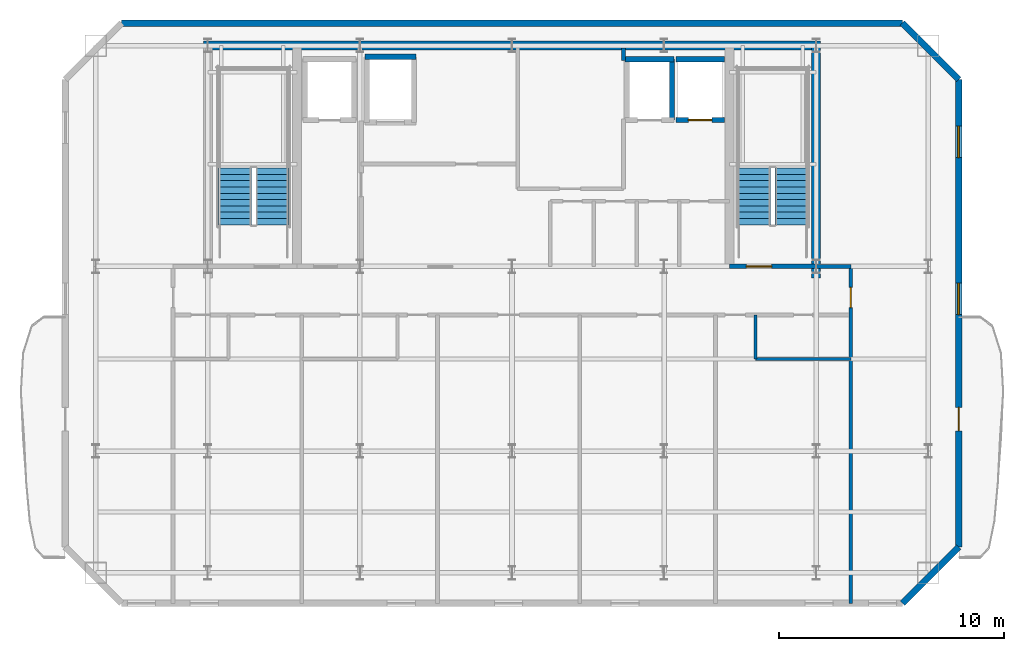
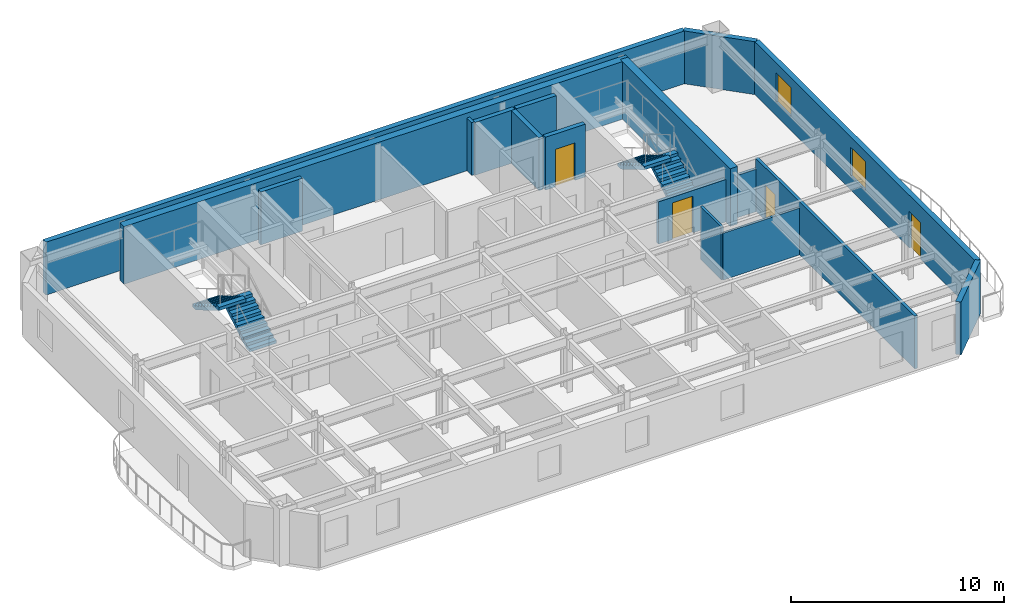
# One storey, part 4 of 6: 17 walls, 4 doors, 4 stair flights, 2 windows, 6 openings, 2 elements without a shape of their own.
"""IFC4 building model written with IfcOpenShell, lengths in metres."""

import ifcopenshell
import ifcopenshell.guid

model = None  # the IFC model being written
_history = None  # IfcOwnerHistory: only IFC2X3 demands one
_inside = {}  # id of a spatial element -> (the spatial element, [elements in it])
_under = {}  # id of a project, library or spatial element -> (it, [spatial elements below it])
_declared = {}  # id of a project -> (the project, [libraries it declares])
_typed = {}  # id of a type object -> (the type object, [elements of that type])
_made_of = {}  # id of a material, layer set ... -> (it, [elements and type objects made of it])


def new_model(schema):
    """Start an empty IFC model of exactly this schema.

    Asked for "IFC4X3", IfcOpenShell would pick the latest addendum, in which some entities
    have other attributes; the version numbers below select the first issue.
    IFC2X3 requires an IfcOwnerHistory on every rooted entity: one is made here for all.
    """
    global model, _history
    if schema == "IFC4X3":
        model = ifcopenshell.file(schema_version=(4, 3, 0, 0))
    else:
        model = ifcopenshell.file(schema=schema)
    _inside.clear()
    _under.clear()
    _declared.clear()
    _typed.clear()
    _made_of.clear()
    _history = None
    if model.schema == "IFC2X3":
        org = make("IfcOrganization", Name="unknown")
        user = make(
            "IfcPersonAndOrganization",
            ThePerson=make("IfcPerson", FamilyName="unknown"),
            TheOrganization=org,
        )
        app = make(
            "IfcApplication",
            ApplicationDeveloper=org,
            Version="unknown",
            ApplicationFullName="unknown",
            ApplicationIdentifier="unknown",
        )
        _history = make(
            "IfcOwnerHistory",
            OwningUser=user,
            OwningApplication=app,
            ChangeAction="ADDED",
            CreationDate=0,
        )
    return model


def make(cls, **values):
    """One entity of the class cls with the attributes given. An attribute that is None is left unset."""
    return model.create_entity(
        cls, **{name: value for name, value in values.items() if value is not None}
    )


def rooted(cls, **values):
    """An entity with a GlobalId (a new one), such as an element, a storey or a relation."""
    return make(cls, GlobalId=ifcopenshell.guid.new(), OwnerHistory=_history, **values)


def si_unit(unit_type, name, prefix=None):
    """IfcSIUnit, for example si_unit("LENGTHUNIT", "METRE", prefix="MILLI")."""
    return make("IfcSIUnit", UnitType=unit_type, Prefix=prefix, Name=name)


def assignment(units):
    """IfcUnitAssignment: the units of a project."""
    return None if units is None else make("IfcUnitAssignment", Units=units)


def point(xyz):
    """IfcCartesianPoint."""
    return None if xyz is None else make("IfcCartesianPoint", Coordinates=xyz)


def direction(xyz):
    """IfcDirection."""
    return None if xyz is None else make("IfcDirection", DirectionRatios=xyz)


def frame(location, z_axis=None, x_axis=None):
    """IfcAxis2Placement3D, a coordinate frame: its origin and axes. An axis left out is left unset."""
    return make(
        "IfcAxis2Placement3D",
        Location=point(location),
        Axis=direction(z_axis),
        RefDirection=direction(x_axis),
    )


def frame_2d(location, x_axis=None):
    """IfcAxis2Placement2D, a coordinate frame in the plane: its origin and x axis."""
    return make(
        "IfcAxis2Placement2D", Location=point(location), RefDirection=direction(x_axis)
    )


def origin():
    """The frame at (0, 0, 0) with its axes left unset."""
    return frame((0.0, 0.0, 0.0))


def place(relative_to, where):
    """IfcLocalPlacement: puts the frame where relative to a parent placement (None: the world)."""
    return make(
        "IfcLocalPlacement", PlacementRelTo=relative_to, RelativePlacement=where
    )


def context(
    kind, dimensions, precision=None, world=None, true_north=None, identifier=None
):
    """IfcGeometricRepresentationContext, for example the 3D "Model" context."""
    return make(
        "IfcGeometricRepresentationContext",
        ContextIdentifier=identifier,
        ContextType=kind,
        CoordinateSpaceDimension=dimensions,
        Precision=precision,
        WorldCoordinateSystem=world,
        TrueNorth=true_north,
    )


def subcontext(parent, identifier, kind, view, scale=None):
    """IfcGeometricRepresentationSubContext, for example "Body" below "Model"."""
    return make(
        "IfcGeometricRepresentationSubContext",
        ContextIdentifier=identifier,
        ContextType=kind,
        ParentContext=parent,
        TargetScale=scale,
        TargetView=view,
    )


def project(units=None, contexts=None):
    """IfcProject with its units and contexts."""
    return rooted(
        "IfcProject",
        Name="project",
        RepresentationContexts=contexts,
        UnitsInContext=assignment(units),
    )


def spatial(cls, under=None, at=None, **own):
    """A site, building, storey or space (cls), placed at a placement, below another one or the project."""
    s = rooted(cls, ObjectPlacement=at, **own)
    if under is not None:
        _under.setdefault(under.id(), (under, []))[1].append(s)
    return s


def polyline(points):
    """IfcPolyline through the points."""
    return make("IfcPolyline", Points=[point(p) for p in points])


def profile(cls, at=None, kind="AREA", **sizes):
    """A parametric profile (cls). Its sizes go by their IFC names, for example OverallWidth=200.0."""
    return make(cls, ProfileType=kind, Position=at, **sizes)


def rectangle(**sizes):
    """IfcRectangleProfileDef."""
    return profile("IfcRectangleProfileDef", **sizes)


def outline(outer, holes=None, kind="AREA"):
    """IfcArbitraryClosedProfileDef: a profile drawn as a closed curve; with holes, ...WithVoids."""
    if holes is None:
        return make("IfcArbitraryClosedProfileDef", ProfileType=kind, OuterCurve=outer)
    return make(
        "IfcArbitraryProfileDefWithVoids",
        ProfileType=kind,
        OuterCurve=outer,
        InnerCurves=holes,
    )


def extrude(swept, where, along, depth):
    """IfcExtrudedAreaSolid: the profile swept, set in the frame where, extruded along a direction by depth."""
    return make(
        "IfcExtrudedAreaSolid",
        SweptArea=swept,
        Position=where,
        ExtrudedDirection=direction(along),
        Depth=depth,
    )


def shape(context_of_items, identifier, shape_type, items):
    """IfcShapeRepresentation: the items that make up one representation, for example the "Body"."""
    return make(
        "IfcShapeRepresentation",
        ContextOfItems=context_of_items,
        RepresentationIdentifier=identifier,
        RepresentationType=shape_type,
        Items=items,
    )


def material(Name=None, Category=None):
    """IfcMaterial."""
    return make("IfcMaterial", Name=Name, Category=Category)


def layer(
    of_material, thickness, ventilated=None, Name=None, Category=None, Priority=None
):
    """IfcMaterialLayer: one layer of a wall or slab, of a material (None: an air gap)."""
    return make(
        "IfcMaterialLayer",
        Material=of_material,
        LayerThickness=thickness,
        IsVentilated=ventilated,
        Name=Name,
        Category=Category,
        Priority=Priority,
    )


def layer_set(layers, Name=None):
    """IfcMaterialLayerSet."""
    return make("IfcMaterialLayerSet", MaterialLayers=layers, LayerSetName=Name)


def made_of(thing, what):
    """Note that an element or type object is made of a material, layer set ...; save() writes the relation."""
    if what is not None:
        _made_of.setdefault(what.id(), (what, []))[1].append(thing)
    return thing


def type_object(cls, material=None, **own):
    """A type object (cls), such as IfcWallType, which elements share."""
    return made_of(rooted(cls, **own), material)


def element(
    cls,
    number,
    at=None,
    inside=None,
    cuts=None,
    type_object=None,
    material=None,
    context=None,
    identifier="Body",
    shape_type=None,
    held_by="IfcProductDefinitionShape",
    body=None,
    shapes=None,
    **own,
):
    """One element of the class cls, such as IfcWall. Its Tag is "e" and its number.

    at: its placement. inside: the storey or other place that contains it. cuts: it is an
    opening in that element (IfcRelVoidsElement). A single representation is given by context,
    identifier, shape_type and body (its items); several are given by shapes. held_by: the class
    of the entity that holds the representations. save() writes the other relations.
    """
    e = rooted(cls, Tag="e%d" % number, ObjectPlacement=at, **own)
    if body is not None:
        shapes = [shape(context, identifier, shape_type, body)]
    if shapes is not None:
        e.Representation = make(held_by, Representations=shapes)
    if inside is not None:
        _inside.setdefault(inside.id(), (inside, []))[1].append(e)
    if cuts is not None:
        rooted(
            "IfcRelVoidsElement", RelatingBuildingElement=cuts, RelatedOpeningElement=e
        )
    if type_object is not None:
        _typed.setdefault(type_object.id(), (type_object, []))[1].append(e)
    return made_of(e, material)


def fill(opening, filler):
    """IfcRelFillsElement: the door or window that sits in an opening."""
    return rooted(
        "IfcRelFillsElement",
        RelatingOpeningElement=opening,
        RelatedBuildingElement=filler,
    )


def aggregate(whole, parts):
    """IfcRelAggregates: a whole, such as a stair, and the parts it consists of."""
    return rooted("IfcRelAggregates", RelatingObject=whole, RelatedObjects=parts)


def save(model, path):
    """Write the relations noted so far, then the file.

    IfcRelAggregates (storeys below a building ...), IfcRelContainedInSpatialStructure (elements
    in a storey), IfcRelDefinesByType, IfcRelAssociatesMaterial and IfcRelDeclares: one each for
    every whole, place, type object, material and project.
    """
    for whole, parts in _under.values():
        aggregate(whole, parts)
    for where, things in _inside.values():
        rooted(
            "IfcRelContainedInSpatialStructure",
            RelatedElements=things,
            RelatingStructure=where,
        )
    for kind, things in _typed.values():
        rooted("IfcRelDefinesByType", RelatedObjects=things, RelatingType=kind)
    for what, things in _made_of.values():
        rooted("IfcRelAssociatesMaterial", RelatedObjects=things, RelatingMaterial=what)
    for by, libraries in _declared.values():
        rooted("IfcRelDeclares", RelatingContext=by, RelatedDefinitions=libraries)
    model.write(path)


model = new_model("IFC4")

# Units and contexts
model_context = context("Model", 3, precision=1e-05, world=origin(), true_north=direction((0.0, 1.0)))
body_context = subcontext(model_context, "Body", "Model", "MODEL_VIEW")
ifc_project = project(units=[si_unit("LENGTHUNIT", "METRE"), si_unit("AREAUNIT", "SQUARE_METRE"), si_unit("VOLUMEUNIT", "CUBIC_METRE"), si_unit("PLANEANGLEUNIT", "RADIAN"), si_unit("MASSUNIT", "GRAM", prefix="KILO")], contexts=[model_context])

# Site, building, storey
site_placement = place(None, origin())
site = spatial("IfcSite", under=ifc_project, at=site_placement, CompositionType="ELEMENT")
building_placement = place(site_placement, origin())
building = spatial("IfcBuilding", under=site, at=building_placement, Name="Haevon Station Towers", CompositionType="ELEMENT")
storey_placement = place(building_placement, frame((0.0, 0.0, 242.699951171875)))
storey = spatial("IfcBuildingStorey", under=building, at=storey_placement, Name="L67", CompositionType="ELEMENT", Elevation=242.699951171875)

# Wall, opening, door
ifc_material_1 = material(Name="Gypsum board on steel stud", Category="steel")
ifc_layer_1 = layer(ifc_material_1, 0.199951171875)
ifc_layer_set_1 = layer_set([ifc_layer_1], Name="Gypsum board on steel stud")
wall_type_1 = type_object("IfcWallType", Name="WL-COR200", PredefinedType="PARTITIONING", material=ifc_layer_set_1)
wall_1_placement = place(storey_placement, frame((47.14990234375, 38.199951171875, 0.0), z_axis=(0.0, 0.0, 1.0), x_axis=(1.0, 0.0, 0.0)))
wall_1 = element("IfcWall", 1, at=wall_1_placement, inside=storey, type_object=wall_type_1, Name="WL-ST-ST2-L67", PredefinedType="PARTITIONING", context=body_context, shape_type="SweptSolid", body=[
    extrude(rectangle(XDim=3.85009765625, YDim=0.199951171875, at=frame_2d((1.925048828125, 0.0))), origin(), (0.0, 0.0, 1.0), 2.429931640625),
])
opening_1_placement = place(wall_1_placement, frame((0.75, 0.0, 0.0)))
opening_1 = element("IfcOpeningElement", 2, at=opening_1_placement, cuts=wall_1, Name="Opening DR-ST-ST2-L67", PredefinedType="OPENING", context=body_context, shape_type="SweptSolid", body=[
    extrude(rectangle(XDim=1.1201171875, YDim=2.10009765625, at=frame_2d((0.56005859375, 1.050048828125))), frame((0.0, 0.10986328125, 0.0), z_axis=(0.0, -1.0, 0.0), x_axis=(1.0, 0.0, 0.0)), (0.0, 0.0, 1.0), 0.219970703125),
])
ifc_material_2 = material(Name="Engineered oak timber", Category="wood")
door_type_1 = type_object("IfcDoorType", Name="DR-ST-1120", OperationType="NOTDEFINED", PredefinedType="DOOR", material=ifc_material_2)
door_1_placement = place(opening_1_placement, origin())
door_1 = element("IfcDoor", 3, at=door_1_placement, inside=storey, type_object=door_type_1, Name="L67 Escape Stair ST2 Fire Door", OperationType="SINGLE_SWING_LEFT", OverallHeight=2.10009765625, OverallWidth=1.1201171875, PredefinedType="DOOR", context=body_context, shape_type="SweptSolid", body=[
    extrude(rectangle(XDim=1.1201171875, YDim=2.10009765625, at=frame_2d((0.56005859375, 1.050048828125))), frame((0.0, 0.02490234375, 0.0), z_axis=(0.0, -1.0, 0.0), x_axis=(1.0, 0.0, 0.0)), (0.0, 0.0, 1.0), 0.050048828125),
])
fill(opening_1, door_1)

# Walls
ifc_material_3 = material(Name="Concrete C60/75", Category="concrete")
ifc_layer_2 = layer(ifc_material_3, 0.39990234375)
ifc_layer_set_2 = layer_set([ifc_layer_2], Name="Concrete C60/75")
wall_type_2 = type_object("IfcWallType", Name="WL-CR400", PredefinedType="SHEAR", material=ifc_layer_set_2)
wall_2_placement = place(storey_placement, frame((23.800048828125, 48.0, 0.0), z_axis=(0.0, 0.0, 1.0), x_axis=(1.0, 0.0, 0.0)))
element("IfcWall", 4, at=wall_2_placement, inside=storey, type_object=wall_type_2, Name="WL-T1CR-L67-N", PredefinedType="SHEAR", context=body_context, shape_type="SweptSolid", body=[
    extrude(rectangle(XDim=27.39990234375, YDim=0.39990234375, at=frame_2d((13.699951171875, 0.0))), origin(), (0.0, 0.0, 1.0), 3.300048828125),
])
wall_3_placement = place(storey_placement, frame((51.0, 37.679931640625, 0.0), z_axis=(0.0, 0.0, 1.0), x_axis=(0.0, 1.0, 0.0)))
element("IfcWall", 5, at=wall_3_placement, inside=storey, type_object=wall_type_2, Name="WL-T1CR-L67-E", PredefinedType="SHEAR", context=body_context, shape_type="SweptSolid", body=[
    extrude(rectangle(XDim=10.320068359375, YDim=0.39990234375, at=frame_2d((5.16015625, 0.0))), origin(), (0.0, 0.0, 1.0), 3.300048828125),
])
ifc_material_4 = material(Name="Precast concrete C45/55", Category="concrete")
ifc_layer_3 = layer(ifc_material_4, 0.280029296875)
ifc_layer_set_3 = layer_set([ifc_layer_3], Name="Precast concrete C45/55")
wall_type_3 = type_object("IfcWallType", Name="WL-EXT-PIER280", PredefinedType="SOLIDWALL", material=ifc_layer_set_3)
wall_4_placement = place(storey_placement, frame((20.175048828125, 49.0, 0.0), z_axis=(0.0, 0.0, 1.0), x_axis=(1.0, 0.0, 0.0)))
element("IfcWall", 6, at=wall_4_placement, inside=storey, type_object=wall_type_3, Name="WL-T1-L67-N", PredefinedType="SOLIDWALL", context=body_context, shape_type="SweptSolid", body=[
    extrude(rectangle(XDim=34.64990234375, YDim=0.280029296875, at=frame_2d((17.324951171875, 0.0))), origin(), (0.0, 0.0, 1.0), 3.030029296875),
])
wall_5_placement = place(storey_placement, frame((54.824951171875, 49.0, 0.0), z_axis=(0.0, 0.0, 1.0), x_axis=(0.707106781187, -0.707106781187, 0.0)))
element("IfcWall", 7, at=wall_5_placement, inside=storey, type_object=wall_type_3, Name="WL-T1-L67-NEC", PredefinedType="SOLIDWALL", context=body_context, shape_type="SweptSolid", body=[
    extrude(rectangle(XDim=3.53564453125, YDim=0.280029296875, at=frame_2d((1.767822265625, 0.0))), origin(), (0.0, 0.0, 1.0), 3.030029296875),
])

# Wall, openings, door, windows
wall_6_placement = place(storey_placement, frame((57.324951171875, 46.5, 0.0), z_axis=(0.0, 0.0, 1.0), x_axis=(0.0, -1.0, 0.0)))
wall_6 = element("IfcWall", 8, at=wall_6_placement, inside=storey, type_object=wall_type_3, Name="WL-T1-L67-E", PredefinedType="SOLIDWALL", context=body_context, shape_type="SweptSolid", body=[
    extrude(rectangle(XDim=20.75, YDim=0.280029296875, at=frame_2d((10.375, 0.0))), origin(), (0.0, 0.0, 1.0), 3.030029296875),
])
opening_2_placement = place(wall_6_placement, frame((14.550048828125, 0.0, 0.0)))
opening_2 = element("IfcOpeningElement", 9, at=opening_2_placement, cuts=wall_6, Name="Opening DR-T1-SCAL-L67-E", PredefinedType="OPENING", context=body_context, shape_type="SweptSolid", body=[
    extrude(rectangle(XDim=1.050048828125, YDim=2.10009765625, at=frame_2d((0.52490234375, 1.050048828125))), frame((0.0, 0.14990234375, 0.0), z_axis=(0.0, -1.0, 0.0), x_axis=(1.0, 0.0, 0.0)), (0.0, 0.0, 1.0), 0.300048828125),
])
opening_3_placement = place(wall_6_placement, frame((2.06787109375, 0.0, 0.800048828125)))
opening_3 = element("IfcOpeningElement", 10, at=opening_3_placement, cuts=wall_6, Name="Opening WN-END140", PredefinedType="OPENING", context=body_context, shape_type="SweptSolid", body=[
    extrude(rectangle(XDim=1.39990234375, YDim=1.64990234375, at=frame_2d((0.699951171875, 0.824951171875))), frame((0.0, 0.14990234375, 0.0), z_axis=(0.0, -1.0, 0.0), x_axis=(1.0, 0.0, 0.0)), (0.0, 0.0, 1.0), 0.300048828125),
])
opening_4_placement = place(wall_6_placement, frame((9.041015625, 0.0, 0.800048828125)))
opening_4 = element("IfcOpeningElement", 11, at=opening_4_placement, cuts=wall_6, Name="Opening WN-END140", PredefinedType="OPENING", context=body_context, shape_type="SweptSolid", body=[
    extrude(rectangle(XDim=1.39990234375, YDim=1.64990234375, at=frame_2d((0.699951171875, 0.824951171875))), frame((0.0, 0.14990234375, 0.0), z_axis=(0.0, -1.0, 0.0), x_axis=(1.0, 0.0, 0.0)), (0.0, 0.0, 1.0), 0.300048828125),
])
ifc_material_5 = material(Name="Thermally broken anodised aluminium and laminated safety glass", Category="aluminium")
door_type_2 = type_object("IfcDoorType", Name="DR-BALC-1050", OperationType="NOTDEFINED", PredefinedType="DOOR", material=ifc_material_5)
door_2_placement = place(opening_2_placement, origin())
door_2 = element("IfcDoor", 12, at=door_2_placement, inside=storey, type_object=door_type_2, Name="Tower 1 L67 East Scalloped Balcony Door", OperationType="SINGLE_SWING_RIGHT", OverallHeight=2.10009765625, OverallWidth=1.050048828125, PredefinedType="DOOR", context=body_context, shape_type="SweptSolid", body=[
    extrude(rectangle(XDim=1.050048828125, YDim=2.10009765625, at=frame_2d((0.52490234375, 1.050048828125))), frame((0.0, 0.02490234375, 0.0), z_axis=(0.0, -1.0, 0.0), x_axis=(1.0, 0.0, 0.0)), (0.0, 0.0, 1.0), 0.050048828125),
])
fill(opening_2, door_2)
ifc_material_6 = material(Name="Low-E triple glazing in thermally broken aluminium", Category="aluminium")
window_type = type_object("IfcWindowType", Name="WN-END140", PartitioningType="SINGLE_PANEL", PredefinedType="WINDOW", material=ifc_material_6)
window_1_placement = place(opening_3_placement, origin())
window_1 = element("IfcWindow", 13, at=window_1_placement, inside=storey, type_object=window_type, Name="WN-T1-L67-E01", OverallHeight=1.64990234375, OverallWidth=1.39990234375, PartitioningType="SINGLE_PANEL", PredefinedType="WINDOW", context=body_context, shape_type="SweptSolid", body=[
    extrude(rectangle(XDim=1.39990234375, YDim=1.64990234375, at=frame_2d((0.699951171875, 0.824951171875))), frame((0.0, 0.030029296875, 0.0), z_axis=(0.0, -1.0, 0.0), x_axis=(1.0, 0.0, 0.0)), (0.0, 0.0, 1.0), 0.06005859375),
])
fill(opening_3, window_1)
window_2_placement = place(opening_4_placement, origin())
window_2 = element("IfcWindow", 14, at=window_2_placement, inside=storey, type_object=window_type, Name="WN-T1-L67-E02", OverallHeight=1.64990234375, OverallWidth=1.39990234375, PartitioningType="SINGLE_PANEL", PredefinedType="WINDOW", context=body_context, shape_type="SweptSolid", body=[
    extrude(rectangle(XDim=1.39990234375, YDim=1.64990234375, at=frame_2d((0.699951171875, 0.824951171875))), frame((0.0, 0.030029296875, 0.0), z_axis=(0.0, -1.0, 0.0), x_axis=(1.0, 0.0, 0.0)), (0.0, 0.0, 1.0), 0.06005859375),
])
fill(opening_4, window_2)

# Walls
wall_7_placement = place(storey_placement, frame((57.324951171875, 25.75, 0.0), z_axis=(0.0, 0.0, 1.0), x_axis=(-0.707106781187, -0.707106781187, 0.0)))
element("IfcWall", 15, at=wall_7_placement, inside=storey, type_object=wall_type_3, Name="WL-T1-L67-SEC", PredefinedType="SOLIDWALL", context=body_context, shape_type="SweptSolid", body=[
    extrude(rectangle(XDim=3.53564453125, YDim=0.280029296875, at=frame_2d((1.767822265625, 0.0))), origin(), (0.0, 0.0, 1.0), 3.030029296875),
])
ifc_layer_4 = layer(ifc_material_1, 0.125)
ifc_layer_set_4 = layer_set([ifc_layer_4], Name="Gypsum board on steel stud")
wall_type_4 = type_object("IfcWallType", Name="WL-PRT125", PredefinedType="PARTITIONING", material=ifc_layer_set_4)
wall_8_placement = place(storey_placement, frame((48.302734375, 34.10009765625, 0.0), z_axis=(0.0, 0.0, 1.0), x_axis=(1.0, 0.0, 0.0)))
element("IfcWall", 16, at=wall_8_placement, inside=storey, type_object=wall_type_4, Name="WL-T1PT-L67-13", PredefinedType="PARTITIONING", context=body_context, shape_type="SweptSolid", body=[
    extrude(rectangle(XDim=4.2353515625, YDim=0.125, at=frame_2d((2.11767578125, 0.0))), origin(), (0.0, 0.0, 1.0), 2.679931640625),
])
wall_9_placement = place(storey_placement, frame((48.302734375, 34.10009765625, 0.0), z_axis=(0.0, 0.0, 1.0), x_axis=(0.0, 1.0, 0.0)))
element("IfcWall", 17, at=wall_9_placement, inside=storey, type_object=wall_type_4, Name="WL-T1PT-L67-14", PredefinedType="PARTITIONING", context=body_context, shape_type="SweptSolid", body=[
    extrude(rectangle(XDim=1.949951171875, YDim=0.125, at=frame_2d((0.97509765625, 0.0))), origin(), (0.0, 0.0, 1.0), 3.030029296875),
])
ifc_layer_5 = layer(ifc_material_1, 0.159912109375)
ifc_layer_set_5 = layer_set([ifc_layer_5], Name="Gypsum board on steel stud")
wall_type_5 = type_object("IfcWallType", Name="WL-PRT160", PredefinedType="PARTITIONING", material=ifc_layer_set_5)
wall_10_placement = place(storey_placement, frame((42.449951171875, 47.35009765625, 0.0), z_axis=(0.0, 0.0, 1.0), x_axis=(0.0, 1.0, 0.0)))
element("IfcWall", 18, at=wall_10_placement, inside=storey, type_object=wall_type_5, Name="WL-T1CW-L67-05", PredefinedType="PARTITIONING", context=body_context, shape_type="SweptSolid", body=[
    extrude(rectangle(XDim=0.5498046875, YDim=0.159912109375, at=frame_2d((0.27490234375, 0.0))), origin(), (0.0, 0.0, 1.0), 3.030029296875),
])
wall_11_placement = place(storey_placement, frame((51.0, 38.199951171875, 0.0), z_axis=(0.0, 0.0, 1.0), x_axis=(1.0, 0.0, 0.0)))
element("IfcWall", 19, at=wall_11_placement, inside=storey, type_object=wall_type_5, Name="WL-T1PT-L67-02", PredefinedType="PARTITIONING", context=body_context, shape_type="SweptSolid", body=[
    extrude(rectangle(XDim=1.5380859375, YDim=0.159912109375, at=frame_2d((0.76904296875, 0.0))), origin(), (0.0, 0.0, 1.0), 2.429931640625),
])

# Wall, opening, door
wall_12_placement = place(storey_placement, frame((52.5380859375, 23.25, 0.0), z_axis=(0.0, 0.0, 1.0), x_axis=(0.0, 1.0, 0.0)))
wall_12 = element("IfcWall", 20, at=wall_12_placement, inside=storey, type_object=wall_type_5, Name="WL-T1PT-L67-04", PredefinedType="PARTITIONING", context=body_context, shape_type="SweptSolid", body=[
    extrude(rectangle(XDim=14.949951171875, YDim=0.159912109375, at=frame_2d((7.47509765625, 0.0))), origin(), (0.0, 0.0, 1.0), 3.030029296875),
])
opening_5_placement = place(wall_12_placement, frame((13.1201171875, 0.0, 0.0)))
opening_5 = element("IfcOpeningElement", 21, at=opening_5_placement, cuts=wall_12, Name="Opening DR-WL-T1PT-L67-04-01", PredefinedType="OPENING", context=body_context, shape_type="SweptSolid", body=[
    extrude(rectangle(XDim=0.89990234375, YDim=2.050048828125, at=frame_2d((0.449951171875, 1.02490234375))), frame((0.0, 0.08984375, 0.0), z_axis=(0.0, -1.0, 0.0), x_axis=(1.0, 0.0, 0.0)), (0.0, 0.0, 1.0), 0.179931640625),
])
door_type_3 = type_object("IfcDoorType", Name="DR-INT-900", OperationType="NOTDEFINED", PredefinedType="DOOR", material=ifc_material_2)
door_3_placement = place(opening_5_placement, origin())
door_3 = element("IfcDoor", 22, at=door_3_placement, inside=storey, type_object=door_type_3, Name="L67 Tower 1 Room Door 4-1", OperationType="SINGLE_SWING_LEFT", OverallHeight=2.050048828125, OverallWidth=0.89990234375, PredefinedType="DOOR", context=body_context, shape_type="SweptSolid", body=[
    extrude(rectangle(XDim=0.89990234375, YDim=2.050048828125, at=frame_2d((0.449951171875, 1.02490234375))), frame((0.0, 0.02490234375, 0.0), z_axis=(0.0, -1.0, 0.0), x_axis=(1.0, 0.0, 0.0)), (0.0, 0.0, 1.0), 0.050048828125),
])
fill(opening_5, door_3)

# Walls
ifc_material_7 = material(Name="Concrete C40/50", Category="concrete")
ifc_layer_6 = layer(ifc_material_7, 0.239990234375)
ifc_layer_set_6 = layer_set([ifc_layer_6], Name="Concrete C40/50")
wall_type_6 = type_object("IfcWallType", Name="WL-SHF240", PredefinedType="PARTITIONING", material=ifc_layer_set_6)
wall_13_placement = place(storey_placement, frame((30.969970703125, 47.5, 0.0), z_axis=(0.0, 0.0, 1.0), x_axis=(1.0, 0.0, 0.0)))
element("IfcWall", 23, at=wall_13_placement, inside=storey, type_object=wall_type_6, Name="WL-SHF-SL1-L67-N", PredefinedType="PARTITIONING", context=body_context, shape_type="SweptSolid", body=[
    extrude(rectangle(XDim=2.260009765625, YDim=0.239990234375, at=frame_2d((1.1298828125, 0.0))), origin(), (0.0, 0.0, 1.0), 3.030029296875),
])
wall_14_placement = place(storey_placement, frame((42.52001953125, 47.39990234375, 0.0), z_axis=(0.0, 0.0, 1.0), x_axis=(1.0, 0.0, 0.0)))
element("IfcWall", 24, at=wall_14_placement, inside=storey, type_object=wall_type_6, Name="WL-SHF-PL5-L67-N", PredefinedType="PARTITIONING", context=body_context, shape_type="SweptSolid", body=[
    extrude(rectangle(XDim=2.159912109375, YDim=0.239990234375, at=frame_2d((1.080078125, 0.0))), origin(), (0.0, 0.0, 1.0), 3.030029296875),
])
wall_15_placement = place(storey_placement, frame((44.60009765625, 44.699951171875, 0.0), z_axis=(0.0, 0.0, 1.0), x_axis=(0.0, 1.0, 0.0)))
element("IfcWall", 25, at=wall_15_placement, inside=storey, type_object=wall_type_6, Name="WL-SHF-PL5-L67-E", PredefinedType="PARTITIONING", context=body_context, shape_type="SweptSolid", body=[
    extrude(rectangle(XDim=2.699951171875, YDim=0.239990234375, at=frame_2d((1.35009765625, 0.0))), origin(), (0.0, 0.0, 1.0), 3.030029296875),
])

# Wall, opening, door
wall_16_placement = place(storey_placement, frame((44.77001953125, 44.699951171875, 0.0), z_axis=(0.0, 0.0, 1.0), x_axis=(1.0, 0.0, 0.0)))
wall_16 = element("IfcWall", 26, at=wall_16_placement, inside=storey, type_object=wall_type_6, Name="WL-SHF-PL6-L67", PredefinedType="PARTITIONING", context=body_context, shape_type="SweptSolid", body=[
    extrude(rectangle(XDim=2.159912109375, YDim=0.239990234375, at=frame_2d((1.080078125, 0.0))), origin(), (0.0, 0.0, 1.0), 3.030029296875),
])
opening_6_placement = place(wall_16_placement, frame((0.554931640625, 0.0, 0.0)))
opening_6 = element("IfcOpeningElement", 27, at=opening_6_placement, cuts=wall_16, Name="Opening LD-PL6-L67", PredefinedType="OPENING", context=body_context, shape_type="SweptSolid", body=[
    extrude(rectangle(XDim=1.050048828125, YDim=2.14990234375, at=frame_2d((0.52490234375, 1.074951171875))), frame((0.0, 0.1298828125, 0.0), z_axis=(0.0, -1.0, 0.0), x_axis=(1.0, 0.0, 0.0)), (0.0, 0.0, 1.0), 0.260009765625),
])
ifc_material_8 = material(Name="Stainless steel and rated core", Category="steel")
door_type_4 = type_object("IfcDoorType", Name="LD-PL1050", OperationType="SLIDING_TO_LEFT", PredefinedType="DOOR", material=ifc_material_8)
door_4_placement = place(opening_6_placement, origin())
door_4 = element("IfcDoor", 28, at=door_4_placement, inside=storey, type_object=door_type_4, Name="L67 Lift PL6 Sliding Landing Door", OperationType="SLIDING_TO_LEFT", OverallHeight=2.14990234375, OverallWidth=1.050048828125, PredefinedType="DOOR", context=body_context, shape_type="SweptSolid", body=[
    extrude(rectangle(XDim=1.050048828125, YDim=2.14990234375, at=frame_2d((0.52490234375, 1.074951171875))), frame((0.0, 0.02490234375, 0.0), z_axis=(0.0, -1.0, 0.0), x_axis=(1.0, 0.0, 0.0)), (0.0, 0.0, 1.0), 0.050048828125),
])
fill(opening_6, door_4)

# Wall
wall_17_placement = place(storey_placement, frame((44.77001953125, 47.39990234375, 0.0), z_axis=(0.0, 0.0, 1.0), x_axis=(1.0, 0.0, 0.0)))
element("IfcWall", 29, at=wall_17_placement, inside=storey, type_object=wall_type_6, Name="WL-SHF-PL6-L67-N", PredefinedType="PARTITIONING", context=body_context, shape_type="SweptSolid", body=[
    extrude(rectangle(XDim=2.159912109375, YDim=0.239990234375, at=frame_2d((1.080078125, 0.0))), origin(), (0.0, 0.0, 1.0), 3.030029296875),
])

# Stair, stair flights
stair_type = type_object("IfcStairType", Name="STR-DL1450", PredefinedType="USERDEFINED", material=ifc_material_7)
stair_1_placement = place(storey_placement, origin())
stair_1 = element("IfcStair", 30, at=stair_1_placement, inside=storey, type_object=stair_type, Name="L67 Escape Stair ST1", ObjectType="TWO_RETURN_STAIR", PredefinedType="USERDEFINED")
stair_flight_type = type_object("IfcStairFlightType", Name="STF-ST1450", PredefinedType="STRAIGHT", material=ifc_material_7)
stair_flight_1_placement = place(storey_placement, frame((26.85498046875, 40.050048828125, 0.0), z_axis=(0.0, 0.0, 1.0), x_axis=(0.0, 1.0, 0.0)))
stair_flight_1 = element("IfcStairFlight", 31, at=stair_flight_1_placement, type_object=stair_flight_type, Name="L67 ST1 Flight 1", NumberOfRisers=10, NumberOfTreads=9, PredefinedType="STRAIGHT", RiserHeight=0.165, TreadLength=0.28, context=body_context, shape_type="SweptSolid", body=[
    extrude(outline(polyline([(0.0, 0.0), (0.0, 0.1650390625), (0.280029296875, 0.1650390625), (0.280029296875, 0.330078125), (0.56005859375, 0.330078125), (0.56005859375, 0.4951171875), (0.840087890625, 0.4951171875), (0.840087890625, 0.659912109375), (1.1201171875, 0.659912109375), (1.1201171875, 0.824951171875), (1.39990234375, 0.824951171875), (1.39990234375, 0.989990234375), (1.679931640625, 0.989990234375), (1.679931640625, 1.155029296875), (1.9599609375, 1.155029296875), (1.9599609375, 1.320068359375), (2.239990234375, 1.320068359375), (2.239990234375, 1.485107421875), (2.52001953125, 1.485107421875), (2.52001953125, 1.64990234375), (2.52001953125, 1.29931640625), (0.31494140625, 0.0), (0.0, 0.0)])), frame((0.0, 0.72509765625, 0.0), z_axis=(0.0, -1.0, 0.0), x_axis=(1.0, 0.0, 0.0)), (0.0, 0.0, 1.0), 1.449951171875),
])
stair_flight_2_placement = place(storey_placement, frame((25.205078125, 42.570068359375, 1.650146484375), z_axis=(0.0, 0.0, 1.0), x_axis=(0.0, -1.0, 0.0)))
stair_flight_2 = element("IfcStairFlight", 32, at=stair_flight_2_placement, type_object=stair_flight_type, Name="L67 ST1 Flight 2", NumberOfRisers=10, NumberOfTreads=9, PredefinedType="STRAIGHT", RiserHeight=0.165, TreadLength=0.28, context=body_context, shape_type="SweptSolid", body=[
    extrude(outline(polyline([(0.0, 0.0), (0.0, 0.1650390625), (0.280029296875, 0.1650390625), (0.280029296875, 0.330078125), (0.56005859375, 0.330078125), (0.56005859375, 0.4951171875), (0.840087890625, 0.4951171875), (0.840087890625, 0.659912109375), (1.1201171875, 0.659912109375), (1.1201171875, 0.824951171875), (1.39990234375, 0.824951171875), (1.39990234375, 0.989990234375), (1.679931640625, 0.989990234375), (1.679931640625, 1.155029296875), (1.9599609375, 1.155029296875), (1.9599609375, 1.320068359375), (2.239990234375, 1.320068359375), (2.239990234375, 1.485107421875), (2.52001953125, 1.485107421875), (2.52001953125, 1.64990234375), (2.52001953125, 1.29931640625), (0.31494140625, 0.0), (0.0, 0.0)])), frame((0.0, 0.72509765625, 0.0), z_axis=(0.0, -1.0, 0.0), x_axis=(1.0, 0.0, 0.0)), (0.0, 0.0, 1.0), 1.449951171875),
])
aggregate(stair_1, [stair_flight_1, stair_flight_2])

stair_2_placement = place(storey_placement, origin())
stair_2 = element("IfcStair", 33, at=stair_2_placement, inside=storey, type_object=stair_type, Name="L67 Escape Stair ST2", ObjectType="TWO_RETURN_STAIR", PredefinedType="USERDEFINED")
stair_flight_3_placement = place(storey_placement, frame((49.89501953125, 40.050048828125, 0.0), z_axis=(0.0, 0.0, 1.0), x_axis=(0.0, 1.0, 0.0)))
stair_flight_3 = element("IfcStairFlight", 34, at=stair_flight_3_placement, type_object=stair_flight_type, Name="L67 ST2 Flight 1", NumberOfRisers=10, NumberOfTreads=9, PredefinedType="STRAIGHT", RiserHeight=0.165, TreadLength=0.28, context=body_context, shape_type="SweptSolid", body=[
    extrude(outline(polyline([(0.0, 0.0), (0.0, 0.1650390625), (0.280029296875, 0.1650390625), (0.280029296875, 0.330078125), (0.56005859375, 0.330078125), (0.56005859375, 0.4951171875), (0.840087890625, 0.4951171875), (0.840087890625, 0.659912109375), (1.1201171875, 0.659912109375), (1.1201171875, 0.824951171875), (1.39990234375, 0.824951171875), (1.39990234375, 0.989990234375), (1.679931640625, 0.989990234375), (1.679931640625, 1.155029296875), (1.9599609375, 1.155029296875), (1.9599609375, 1.320068359375), (2.239990234375, 1.320068359375), (2.239990234375, 1.485107421875), (2.52001953125, 1.485107421875), (2.52001953125, 1.64990234375), (2.52001953125, 1.29931640625), (0.31494140625, 0.0), (0.0, 0.0)])), frame((0.0, 0.72509765625, 0.0), z_axis=(0.0, -1.0, 0.0), x_axis=(1.0, 0.0, 0.0)), (0.0, 0.0, 1.0), 1.449951171875),
])
stair_flight_4_placement = place(storey_placement, frame((48.2451171875, 42.570068359375, 1.650146484375), z_axis=(0.0, 0.0, 1.0), x_axis=(0.0, -1.0, 0.0)))
stair_flight_4 = element("IfcStairFlight", 35, at=stair_flight_4_placement, type_object=stair_flight_type, Name="L67 ST2 Flight 2", NumberOfRisers=10, NumberOfTreads=9, PredefinedType="STRAIGHT", RiserHeight=0.165, TreadLength=0.28, context=body_context, shape_type="SweptSolid", body=[
    extrude(outline(polyline([(0.0, 0.0), (0.0, 0.1650390625), (0.280029296875, 0.1650390625), (0.280029296875, 0.330078125), (0.56005859375, 0.330078125), (0.56005859375, 0.4951171875), (0.840087890625, 0.4951171875), (0.840087890625, 0.659912109375), (1.1201171875, 0.659912109375), (1.1201171875, 0.824951171875), (1.39990234375, 0.824951171875), (1.39990234375, 0.989990234375), (1.679931640625, 0.989990234375), (1.679931640625, 1.155029296875), (1.9599609375, 1.155029296875), (1.9599609375, 1.320068359375), (2.239990234375, 1.320068359375), (2.239990234375, 1.485107421875), (2.52001953125, 1.485107421875), (2.52001953125, 1.64990234375), (2.52001953125, 1.29931640625), (0.31494140625, 0.0), (0.0, 0.0)])), frame((0.0, 0.72509765625, 0.0), z_axis=(0.0, -1.0, 0.0), x_axis=(1.0, 0.0, 0.0)), (0.0, 0.0, 1.0), 1.449951171875),
])
aggregate(stair_2, [stair_flight_3, stair_flight_4])

save(model, "model.ifc")
